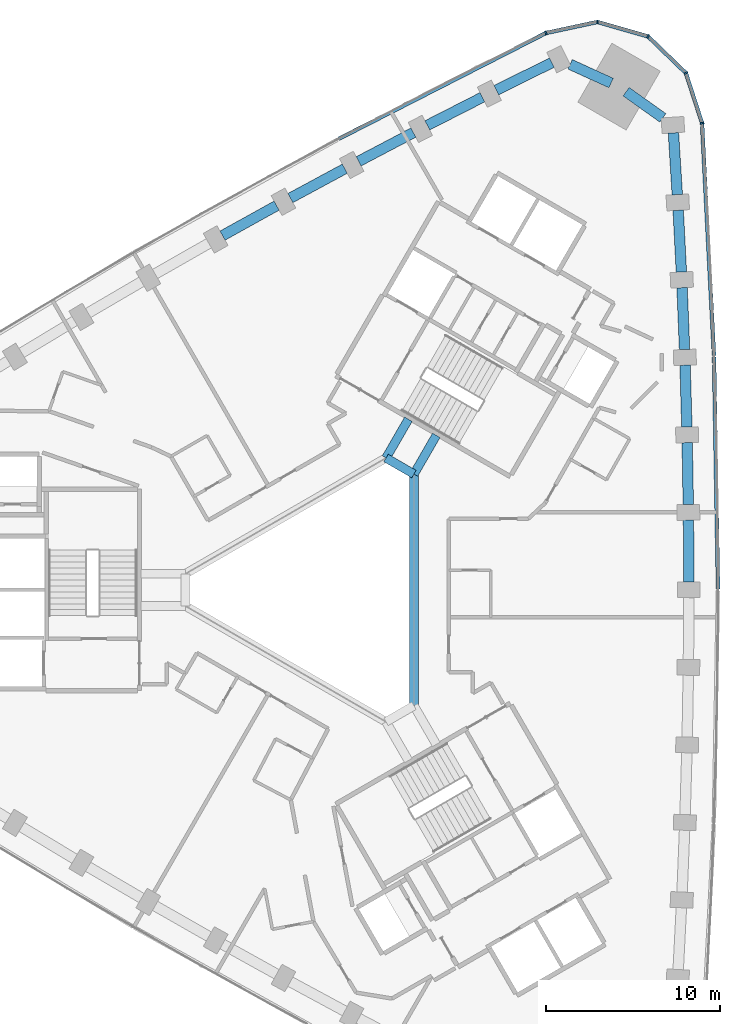
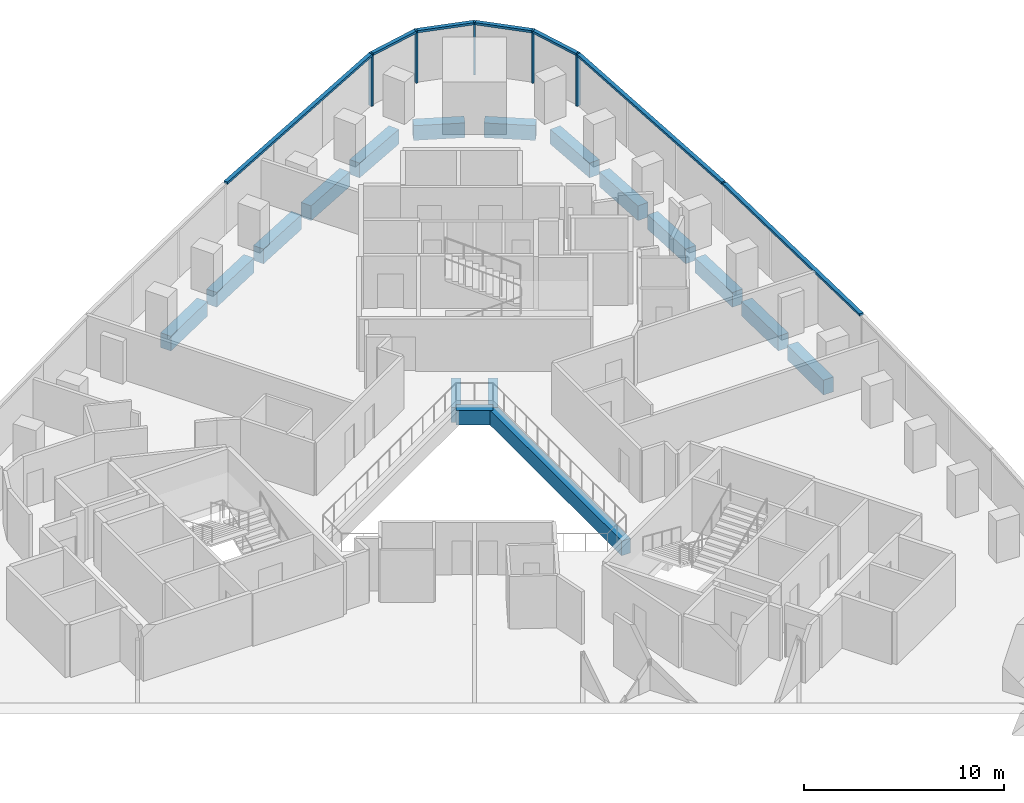
# One storey, part 5 of 12: 17 beams, 12 members, 2 elements without a shape of their own.
"""IFC4 building model written with IfcOpenShell, lengths in metres."""

from ifc_helpers import new_model, si_unit, direction, frame, origin, origin_2d, place, context, subcontext, project, spatial, rectangle, extrude, material, material_profile, profile_set, type_object, element, aggregate, save


model = new_model("IFC4")

# Units and contexts
model_context = context("Model", 3, precision=1e-05, world=origin(), true_north=direction((0.0, 1.0)))
body_context = subcontext(model_context, "Body", "Model", "MODEL_VIEW")
ifc_project = project(units=[si_unit("LENGTHUNIT", "METRE"), si_unit("AREAUNIT", "SQUARE_METRE"), si_unit("VOLUMEUNIT", "CUBIC_METRE"), si_unit("PLANEANGLEUNIT", "RADIAN"), si_unit("MASSUNIT", "GRAM", prefix="KILO")], contexts=[model_context])

# Site, building, storey
site_placement = place(None, origin())
site = spatial("IfcSite", under=ifc_project, at=site_placement, CompositionType="ELEMENT")
building_placement = place(site_placement, origin())
building = spatial("IfcBuilding", under=site, at=building_placement, Name="Tamra Quay Hotel Tower", CompositionType="ELEMENT")
storey_placement = place(building_placement, frame((0.0, 0.0, 115.39990234375)))
storey = spatial("IfcBuildingStorey", under=building, at=storey_placement, Name="L28", CompositionType="ELEMENT", Elevation=115.39990234375)

# Beams
ifc_material_1 = material(Name="Concrete M60", Category="concrete")
ifc_material_profile_1 = material_profile(ifc_material_1, rectangle(XDim=0.5, YDim=0.89990234375, at=origin_2d()), Name="ATRIUM EDGE BEAM RC 500x900")
ifc_profile_set_1 = profile_set([ifc_material_profile_1], Name="Concrete M60")
beam_type_1 = type_object("IfcBeamType", Name="ATRIUM EDGE BEAM RC 500x900", PredefinedType="BEAM", material=ifc_profile_set_1)
beam_1_placement = place(storey_placement, frame((4.89990234375, 6.639404296875, -0.875), z_axis=(0.0, -1.0, 0.0), x_axis=(1.0, 0.0, 0.0)))
element("IfcBeam", 1, at=beam_1_placement, inside=storey, type_object=beam_type_1, Name="BM-AB0-L28", PredefinedType="BEAM", context=body_context, shape_type="SweptSolid", body=[
    extrude(rectangle(XDim=0.5, YDim=0.89990234375, at=origin_2d()), origin(), (0.0, 0.0, 1.0), 13.27880859375),
])
beam_2_placement = place(storey_placement, frame((3.300048828125, 7.563232421875, -0.875), z_axis=(0.865989712182, -0.500061814573, 0.0), x_axis=(0.500061814573, 0.865989712182, 0.0)))
element("IfcBeam", 2, at=beam_2_placement, inside=storey, type_object=beam_type_1, Name="BM-AB5-L28", PredefinedType="BEAM", context=body_context, shape_type="SweptSolid", body=[
    extrude(rectangle(XDim=0.5, YDim=0.89990234375, at=origin_2d()), origin(), (0.0, 0.0, 1.0), 1.847412109375),
])
ifc_material_profile_2 = material_profile(ifc_material_1, rectangle(XDim=0.5, YDim=0.89990234375, at=origin_2d()), Name="ATRIUM TIE BEAM RC 500x900")
ifc_profile_set_2 = profile_set([ifc_material_profile_2], Name="Concrete M60")
beam_type_2 = type_object("IfcBeamType", Name="ATRIUM TIE BEAM RC 500x900", PredefinedType="BEAM", material=ifc_profile_set_2)
for number, where, z_axis, x_axis, name in (
    (3, (4.89990234375, 6.639404296875, -0.875), (0.50003311468, 0.866006284171, 0.0), (-0.866006284171, 0.50003311468, 0.0), "BM-TIE-0-L28"),
    (4, (3.300048828125, 7.563232421875, -0.875), (0.499961652204, 0.866047542763, 0.0), (-0.866047542763, 0.499961652204, 0.0), "BM-TIE-5-L28"),
):
    element("IfcBeam", number, at=place(storey_placement, frame(where, z_axis=z_axis, x_axis=x_axis)), inside=storey, type_object=beam_type_2, Name=name, PredefinedType="BEAM", context=body_context, shape_type="SweptSolid", body=[
        extrude(rectangle(XDim=0.5, YDim=0.89990234375, at=origin_2d()), origin(), (0.0, 0.0, 1.0), 2.562255859375),
    ])

# Curtain wall, members
ifc_material_2 = material(Name="Aluminium 6063 anodised dark grey", Category="aluminium")
curtain_wall_type_1 = type_object("IfcCurtainWallType", Name="CW1 CURTAIN WALL", PredefinedType="NOTDEFINED", material=ifc_material_2)
curtain_wall_1_placement = place(storey_placement, origin())
curtain_wall_1 = element("IfcCurtainWall", 5, at=curtain_wall_1_placement, inside=storey, type_object=curtain_wall_type_1, Name="CW1 east face L28", PredefinedType="NOTDEFINED")
ifc_material_profile_3 = material_profile(ifc_material_2, rectangle(XDim=0.219970703125, YDim=0.10009765625, at=origin_2d()), Name="MULLION 100X220")
ifc_profile_set_3 = profile_set([ifc_material_profile_3], Name="Aluminium 6063 anodised dark grey")
member_type_1 = type_object("IfcMemberType", Name="MULLION CW1 Z2", PredefinedType="MULLION", material=ifc_profile_set_3)
member_1_placement = place(storey_placement, frame((21.41650390625, 26.762451171875, 0.0), z_axis=(0.0, 0.0, 1.0), x_axis=(0.982419074219, 0.18668894614, 0.0)))
member_1 = element("IfcMember", 6, at=member_1_placement, type_object=member_type_1, Name="CW1 mullion L28.E.13", PredefinedType="MULLION", context=body_context, shape_type="SweptSolid", body=[
    extrude(rectangle(XDim=0.219970703125, YDim=0.10009765625, at=origin_2d()), origin(), (0.0, 0.0, 1.0), 3.2001953125),
])
member_2_placement = place(storey_placement, frame((20.488037109375, 29.6328125, 0.0), z_axis=(0.0, 0.0, 1.0), x_axis=(0.848503146373, 0.529190334941, 0.0)))
member_2 = element("IfcMember", 7, at=member_2_placement, type_object=member_type_1, Name="CW1 mullion L28.E.14", PredefinedType="MULLION", context=body_context, shape_type="SweptSolid", body=[
    extrude(rectangle(XDim=0.219970703125, YDim=0.10009765625, at=origin_2d()), origin(), (0.0, 0.0, 1.0), 3.2001953125),
])
member_3_placement = place(storey_placement, frame((18.31884765625, 31.729248046875, 0.0), z_axis=(0.0, 0.0, 1.0), x_axis=(0.5, 0.866025403784, 0.0)))
member_3 = element("IfcMember", 8, at=member_3_placement, type_object=member_type_1, Name="CW1 mullion L28.E.15", PredefinedType="MULLION", context=body_context, shape_type="SweptSolid", body=[
    extrude(rectangle(XDim=0.219970703125, YDim=0.10009765625, at=origin_2d()), origin(), (0.0, 0.0, 1.0), 3.2001953125),
])
member_4_placement = place(storey_placement, frame((15.418701171875, 32.559326171875, 0.0), z_axis=(0.0, 0.0, 1.0), x_axis=(0.03404070031, 0.999420447421, 0.0)))
member_4 = element("IfcMember", 9, at=member_4_placement, type_object=member_type_1, Name="CW1 mullion L28.E.16", PredefinedType="MULLION", context=body_context, shape_type="SweptSolid", body=[
    extrude(rectangle(XDim=0.219970703125, YDim=0.10009765625, at=origin_2d()), origin(), (0.0, 0.0, 1.0), 3.2001953125),
])

# Curtain wall, member
curtain_wall_type_2 = type_object("IfcCurtainWallType", Name="CW2 CURTAIN WALL", PredefinedType="NOTDEFINED", material=ifc_material_2)
curtain_wall_2_placement = place(storey_placement, origin())
curtain_wall_2 = element("IfcCurtainWall", 10, at=curtain_wall_2_placement, inside=storey, type_object=curtain_wall_type_2, Name="CW2 north-west face L28", PredefinedType="NOTDEFINED")
ifc_material_profile_4 = material_profile(ifc_material_2, rectangle(XDim=0.219970703125, YDim=0.10009765625, at=origin_2d()), Name="MULLION 100X220")
ifc_profile_set_4 = profile_set([ifc_material_profile_4], Name="Aluminium 6063 anodised dark grey")
member_type_2 = type_object("IfcMemberType", Name="MULLION CW2 Z2", PredefinedType="MULLION", material=ifc_profile_set_4)
member_5_placement = place(storey_placement, frame((12.46875, 31.928466796875, 0.0), z_axis=(0.0, 0.0, 1.0), x_axis=(-0.329532167147, 0.944144348506, 0.0)))
member_5 = element("IfcMember", 11, at=member_5_placement, type_object=member_type_2, Name="CW2 mullion L28.NW.1", PredefinedType="MULLION", context=body_context, shape_type="SweptSolid", body=[
    extrude(rectangle(XDim=0.219970703125, YDim=0.10009765625, at=origin_2d()), origin(), (0.0, 0.0, 1.0), 3.2001953125),
])

# Beams
ifc_material_profile_5 = material_profile(ifc_material_1, rectangle(XDim=0.60009765625, YDim=0.89990234375, at=origin_2d()), Name="SPANDREL BEAM RC 600x900")
ifc_profile_set_5 = profile_set([ifc_material_profile_5], Name="Concrete M60")
beam_type_3 = type_object("IfcBeamType", Name="SPANDREL BEAM RC 600x900", PredefinedType="SPANDREL", material=ifc_profile_set_5)
beam_3_placement = place(storey_placement, frame((20.656494140625, 0.449951171875, -0.875), z_axis=(-0.005716160055, 0.999983662624, 0.0), x_axis=(-0.999983662624, -0.005716160055, 0.0)))
element("IfcBeam", 12, at=beam_3_placement, inside=storey, type_object=beam_type_3, Name="BM-SP2-006-L28", PredefinedType="SPANDREL", context=body_context, shape_type="SweptSolid", body=[
    extrude(rectangle(XDim=0.60009765625, YDim=0.89990234375, at=origin_2d()), origin(), (0.0, 0.0, 1.0), 3.544921875),
])
beam_4_placement = place(storey_placement, frame((20.6259765625, 4.894775390625, -0.875), z_axis=(-0.017149781635, 0.99985293168, 0.0), x_axis=(-0.99985293168, -0.017149781635, 0.0)))
element("IfcBeam", 13, at=beam_4_placement, inside=storey, type_object=beam_type_3, Name="BM-SP2-007-L28", PredefinedType="SPANDREL", context=body_context, shape_type="SweptSolid", body=[
    extrude(rectangle(XDim=0.60009765625, YDim=0.89990234375, at=origin_2d()), origin(), (0.0, 0.0, 1.0), 3.544677734375),
])
for number, where, z_axis, x_axis, name in (
    (14, (20.544677734375, 9.338623046875, -0.875), (-0.02858140136, 0.999591468299, 0.0), (-0.999591468299, -0.02858140136, 0.0), "BM-SP2-008-L28"),
    (15, (20.41259765625, 13.781494140625, -0.875), (-0.039946034354, 0.999201838639, 0.0), (-0.999201838639, -0.039946034354, 0.0), "BM-SP2-009-L28"),
):
    element("IfcBeam", number, at=place(storey_placement, frame(where, z_axis=z_axis, x_axis=x_axis)), inside=storey, type_object=beam_type_3, Name=name, PredefinedType="SPANDREL", context=body_context, shape_type="SweptSolid", body=[
        extrude(rectangle(XDim=0.60009765625, YDim=0.89990234375, at=origin_2d()), origin(), (0.0, 0.0, 1.0), 3.544921875),
    ])
beam_5_placement = place(storey_placement, frame((20.22998046875, 18.22265625, -0.875), z_axis=(-0.051311627905, 0.998682690769, 0.0), x_axis=(-0.998682690769, -0.051311627905, 0.0)))
element("IfcBeam", 16, at=beam_5_placement, inside=storey, type_object=beam_type_3, Name="BM-SP2-010-L28", PredefinedType="SPANDREL", context=body_context, shape_type="SweptSolid", body=[
    extrude(rectangle(XDim=0.60009765625, YDim=0.89990234375, at=origin_2d()), origin(), (0.0, 0.0, 1.0), 3.544677734375),
])
beam_6_placement = place(storey_placement, frame((19.99658203125, 22.661376953125, -0.875), z_axis=(-0.062669833409, 0.99803431403, 0.0), x_axis=(-0.99803431403, -0.062669833409, 0.0)))
element("IfcBeam", 17, at=beam_6_placement, inside=storey, type_object=beam_type_3, Name="BM-SP2-011-L28", PredefinedType="SPANDREL", context=body_context, shape_type="SweptSolid", body=[
    extrude(rectangle(XDim=0.60009765625, YDim=0.89990234375, at=origin_2d()), origin(), (0.0, 0.0, 1.0), 3.545166015625),
])
for number, where, z_axis, x_axis, name in (
    (18, (19.168701171875, 27.060302734375, -0.875), (-0.814339289036, 0.580389112865, 0.0), (-0.580389112865, -0.814339289036, 0.0), "BM-SP2-012-L28"),
    (19, (16.202392578125, 29.057861328125, -0.875), (-0.909819048293, 0.415005179923, 0.0), (-0.415005179923, -0.909819048293, 0.0), "BM-SP2-013-L28"),
):
    element("IfcBeam", number, at=place(storey_placement, frame(where, z_axis=z_axis, x_axis=x_axis)), inside=storey, type_object=beam_type_3, Name=name, PredefinedType="SPANDREL", context=body_context, shape_type="SweptSolid", body=[
        extrude(rectangle(XDim=0.60009765625, YDim=0.89990234375, at=origin_2d()), origin(), (0.0, 0.0, 1.0), 2.5849609375),
    ])
beam_7_placement = place(storey_placement, frame((12.802001953125, 30.22509765625, -0.875), z_axis=(-0.895622275285, -0.444815399928, 0.0), x_axis=(0.444815399928, -0.895622275285, 0.0)))
element("IfcBeam", 20, at=beam_7_placement, inside=storey, type_object=beam_type_3, Name="BM-SP2-014-L28", PredefinedType="SPANDREL", context=body_context, shape_type="SweptSolid", body=[
    extrude(rectangle(XDim=0.60009765625, YDim=0.89990234375, at=origin_2d()), origin(), (0.0, 0.0, 1.0), 3.545166015625),
])
beam_8_placement = place(storey_placement, frame((8.8232421875, 28.243408203125, -0.875), z_axis=(-0.890551251107, -0.45488291807, 0.0), x_axis=(0.45488291807, -0.890551251107, 0.0)))
element("IfcBeam", 21, at=beam_8_placement, inside=storey, type_object=beam_type_3, Name="BM-SP2-015-L28", PredefinedType="SPANDREL", context=body_context, shape_type="SweptSolid", body=[
    extrude(rectangle(XDim=0.60009765625, YDim=0.89990234375, at=origin_2d()), origin(), (0.0, 0.0, 1.0), 3.544921875),
])
beam_9_placement = place(storey_placement, frame((4.8671875, 26.216796875, -0.875), z_axis=(-0.885322773021, -0.464976975312, 0.0), x_axis=(0.464976975312, -0.885322773021, 0.0)))
element("IfcBeam", 22, at=beam_9_placement, inside=storey, type_object=beam_type_3, Name="BM-SP2-016-L28", PredefinedType="SPANDREL", context=body_context, shape_type="SweptSolid", body=[
    extrude(rectangle(XDim=0.60009765625, YDim=0.89990234375, at=origin_2d()), origin(), (0.0, 0.0, 1.0), 3.544677734375),
])
for number, where, z_axis, x_axis, name in (
    (23, (0.9345703125, 24.1455078125, -0.875), (-0.879950887438, -0.475064664753, 0.0), (0.475064664753, -0.879950887438, 0.0), "BM-SP2-017-L28"),
    (24, (-2.97412109375, 22.029296875, -0.875), (-0.874475461638, -0.48506975477, 0.0), (0.48506975477, -0.874475461638, 0.0), "BM-SP2-018-L28"),
):
    element("IfcBeam", number, at=place(storey_placement, frame(where, z_axis=z_axis, x_axis=x_axis)), inside=storey, type_object=beam_type_3, Name=name, PredefinedType="SPANDREL", context=body_context, shape_type="SweptSolid", body=[
        extrude(rectangle(XDim=0.60009765625, YDim=0.89990234375, at=origin_2d()), origin(), (0.0, 0.0, 1.0), 3.544921875),
    ])

# Member
ifc_material_profile_6 = material_profile(ifc_material_2, rectangle(XDim=0.219970703125, YDim=0.139892578125, at=origin_2d()), Name="TRANSOM 220X140")
ifc_profile_set_6 = profile_set([ifc_material_profile_6], Name="Aluminium 6063 anodised dark grey")
member_type_3 = type_object("IfcMemberType", Name="TRANSOM CW1 Z2", PredefinedType="USERDEFINED", material=ifc_profile_set_6)
member_6_placement = place(storey_placement, frame((22.332763671875, 0.050048828125, 3.130126953125), z_axis=(-0.017137820377, 0.999853136772, 0.0), x_axis=(-0.999853136772, -0.017137820377, 0.0)))
member_6 = element("IfcMember", 25, at=member_6_placement, type_object=member_type_3, Name="CW1 transom L28.E.7", ObjectType="TRANSOM", PredefinedType="USERDEFINED", context=body_context, shape_type="SweptSolid", body=[
    extrude(rectangle(XDim=0.219970703125, YDim=0.139892578125, at=origin_2d()), origin(), (0.0, 0.0, 1.0), 13.291259765625),
])

member_7_placement = place(storey_placement, frame((22.1015625, 13.439208984375, 3.130126953125), z_axis=(-0.051322797132, 0.998682116839, 0.0), x_axis=(-0.998682116839, -0.051322797132, 0.0)))
member_7 = element("IfcMember", 26, at=member_7_placement, type_object=member_type_3, Name="CW1 transom L28.E.10", ObjectType="TRANSOM", PredefinedType="USERDEFINED", context=body_context, shape_type="SweptSolid", body=[
    extrude(rectangle(XDim=0.219970703125, YDim=0.139892578125, at=origin_2d()), origin(), (0.0, 0.0, 1.0), 13.291015625),
])

member_8_placement = place(storey_placement, frame((21.401123046875, 26.81005859375, 3.130126953125), z_axis=(-0.307777941734, 0.95145821694, 0.0), x_axis=(-0.95145821694, -0.307777941734, 0.0)))
member_8 = element("IfcMember", 27, at=member_8_placement, type_object=member_type_3, Name="CW1 transom L28.E.13", ObjectType="TRANSOM", PredefinedType="USERDEFINED", context=body_context, shape_type="SweptSolid", body=[
    extrude(rectangle(XDim=0.219970703125, YDim=0.139892578125, at=origin_2d()), origin(), (0.0, 0.0, 1.0), 2.916748046875),
])

member_9_placement = place(storey_placement, frame((20.451904296875, 29.66748046875, 3.130126953125), z_axis=(-0.719058089649, 0.694949972092, 0.0), x_axis=(-0.694949972092, -0.719058089649, 0.0)))
member_9 = element("IfcMember", 28, at=member_9_placement, type_object=member_type_3, Name="CW1 transom L28.E.14", ObjectType="TRANSOM", PredefinedType="USERDEFINED", context=body_context, shape_type="SweptSolid", body=[
    extrude(rectangle(XDim=0.219970703125, YDim=0.139892578125, at=origin_2d()), origin(), (0.0, 0.0, 1.0), 2.91650390625),
])

member_10_placement = place(storey_placement, frame((18.270751953125, 31.742919921875, 3.130126953125), z_axis=(-0.961378509885, 0.275229650893, 0.0), x_axis=(-0.275229650893, -0.961378509885, 0.0)))
member_10 = element("IfcMember", 29, at=member_10_placement, type_object=member_type_3, Name="CW1 transom L28.E.15", ObjectType="TRANSOM", PredefinedType="USERDEFINED", context=body_context, shape_type="SweptSolid", body=[
    extrude(rectangle(XDim=0.219970703125, YDim=0.139892578125, at=origin_2d()), origin(), (0.0, 0.0, 1.0), 2.91650390625),
])

member_11_placement = place(storey_placement, frame((15.369873046875, 32.549072265625, 3.130126953125), z_axis=(-0.97787585355, -0.209186077557, 0.0), x_axis=(0.209186077557, -0.97787585355, 0.0)))
member_11 = element("IfcMember", 30, at=member_11_placement, type_object=member_type_3, Name="CW1 transom L28.E.16", ObjectType="TRANSOM", PredefinedType="USERDEFINED", context=body_context, shape_type="SweptSolid", body=[
    extrude(rectangle(XDim=0.219970703125, YDim=0.139892578125, at=origin_2d()), origin(), (0.0, 0.0, 1.0), 2.91650390625),
])

aggregate(curtain_wall_1, [member_6, member_7, member_1, member_8, member_2, member_9, member_3, member_10, member_4, member_11])

ifc_material_profile_7 = material_profile(ifc_material_2, rectangle(XDim=0.219970703125, YDim=0.139892578125, at=origin_2d()), Name="TRANSOM 220X140")
ifc_profile_set_7 = profile_set([ifc_material_profile_7], Name="Aluminium 6063 anodised dark grey")
member_type_4 = type_object("IfcMemberType", Name="TRANSOM CW2 Z2", PredefinedType="USERDEFINED", material=ifc_profile_set_7)
member_12_placement = place(storey_placement, frame((12.424072265625, 31.90625, 3.130126953125), z_axis=(-0.89053639512, -0.454912001344, 0.0), x_axis=(0.454912001344, -0.89053639512, 0.0)))
member_12 = element("IfcMember", 31, at=member_12_placement, type_object=member_type_4, Name="CW2 transom L28.NW.1", ObjectType="TRANSOM", PredefinedType="USERDEFINED", context=body_context, shape_type="SweptSolid", body=[
    extrude(rectangle(XDim=0.219970703125, YDim=0.139892578125, at=origin_2d()), origin(), (0.0, 0.0, 1.0), 13.290771484375),
])

aggregate(curtain_wall_2, [member_5, member_12])

save(model, "model.ifc")
